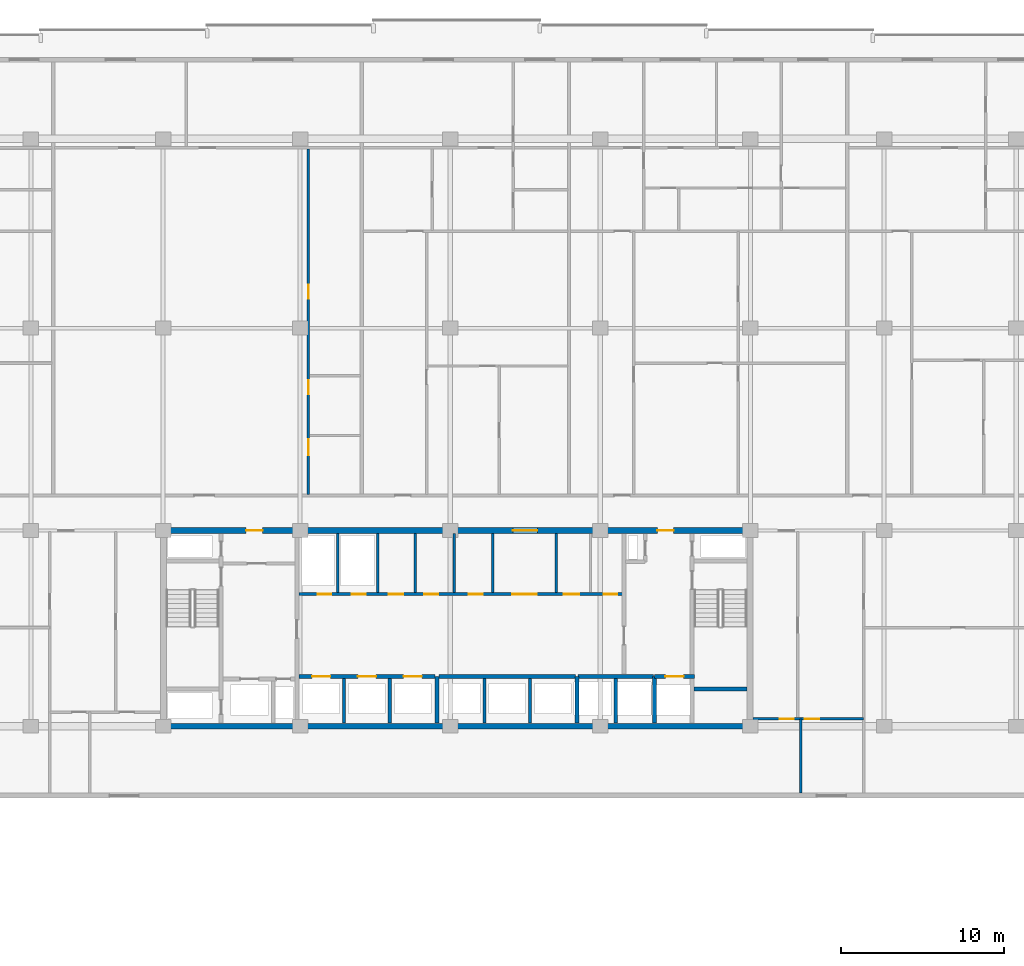
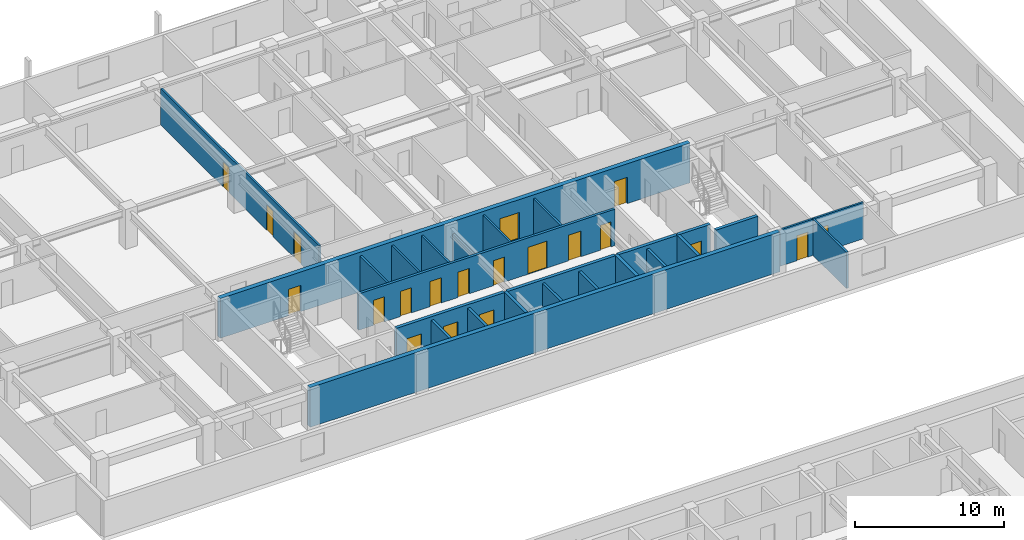
# One storey, part 12 of 22: 25 walls, 20 doors, 20 openings.
"""IFC4 building model written with IfcOpenShell, lengths in metres."""

from ifc_helpers import new_model, si_unit, direction, frame, frame_2d, origin, place, context, subcontext, project, spatial, rectangle, extrude, material, layer, layer_set, type_object, element, fill, save


model = new_model("IFC4")

# Units and contexts
model_context = context("Model", 3, precision=1e-05, world=origin(), true_north=direction((0.0, 1.0)))
body_context = subcontext(model_context, "Body", "Model", "MODEL_VIEW")
ifc_project = project(units=[si_unit("LENGTHUNIT", "METRE"), si_unit("AREAUNIT", "SQUARE_METRE"), si_unit("VOLUMEUNIT", "CUBIC_METRE"), si_unit("PLANEANGLEUNIT", "RADIAN"), si_unit("MASSUNIT", "GRAM", prefix="KILO")], contexts=[model_context])

# Site, building, storey
site_placement = place(None, origin())
site = spatial("IfcSite", under=ifc_project, at=site_placement, CompositionType="ELEMENT")
building_placement = place(site_placement, origin())
building = spatial("IfcBuilding", under=site, at=building_placement, Name="Korimba Cascade Residences", CompositionType="ELEMENT")
storey_placement = place(building_placement, frame((0.0, 0.0, 80.800048828125)))
storey = spatial("IfcBuildingStorey", under=building, at=storey_placement, Name="L22", CompositionType="ELEMENT", Elevation=80.800048828125)

# Wall
ifc_material_1 = material(Name="Concrete C65/80", Category="concrete")
ifc_layer_1 = layer(ifc_material_1, 0.35009765625)
ifc_layer_set_1 = layer_set([ifc_layer_1], Name="Concrete C65/80")
wall_type_1 = type_object("IfcWallType", Name="WAL-CORE-350", PredefinedType="SHEAR", material=ifc_layer_set_1)
wall_1_placement = place(storey_placement, frame((75.949951171875, 55.199951171875, 0.0), z_axis=(0.0, 0.0, 1.0), x_axis=(1.0, 0.0, 0.0)))
element("IfcWall", 1, at=wall_1_placement, inside=storey, type_object=wall_type_1, Name="L22 Core Shear Wall CW-L22-T1-S", PredefinedType="SHEAR", context=body_context, shape_type="SweptSolid", body=[
    extrude(rectangle(XDim=36.300048828125, YDim=0.35009765625, at=frame_2d((18.14990234375, 0.0))), origin(), (0.0, 0.0, 1.0), 3.25),
])

# Wall, openings, doors
wall_2_placement = place(storey_placement, frame((75.949951171875, 67.199951171875, 0.0), z_axis=(0.0, 0.0, 1.0), x_axis=(1.0, 0.0, 0.0)))
wall_2 = element("IfcWall", 2, at=wall_2_placement, inside=storey, type_object=wall_type_1, Name="L22 Core Shear Wall CW-L22-T1-N", PredefinedType="SHEAR", context=body_context, shape_type="SweptSolid", body=[
    extrude(rectangle(XDim=36.300048828125, YDim=0.35009765625, at=frame_2d((18.14990234375, 0.0))), origin(), (0.0, 0.0, 1.0), 3.25),
])
opening_1_placement = place(wall_2_placement, frame((5.25, 0.0, 0.0)))
opening_1 = element("IfcOpeningElement", 3, at=opening_1_placement, cuts=wall_2, Name="Opening D-FD5", PredefinedType="OPENING", context=body_context, shape_type="SweptSolid", body=[
    extrude(rectangle(XDim=1.0, YDim=2.14990234375, at=frame_2d((0.5, 1.074951171875))), frame((0.0, 0.18505859375, 0.0), z_axis=(0.0, -1.0, 0.0), x_axis=(1.0, 0.0, 0.0)), (0.0, 0.0, 1.0), 0.3701171875),
])
opening_2_placement = place(wall_2_placement, frame((21.60009765625, 0.0, 0.0)))
opening_2 = element("IfcOpeningElement", 4, at=opening_2_placement, cuts=wall_2, Name="Opening D-FD8", PredefinedType="OPENING", context=body_context, shape_type="SweptSolid", body=[
    extrude(rectangle(XDim=1.5, YDim=2.199951171875, at=frame_2d((0.75, 1.10009765625))), frame((0.0, 0.18505859375, 0.0), z_axis=(0.0, -1.0, 0.0), x_axis=(1.0, 0.0, 0.0)), (0.0, 0.0, 1.0), 0.3701171875),
])
opening_3_placement = place(wall_2_placement, frame((30.449951171875, 0.0, 0.0)))
opening_3 = element("IfcOpeningElement", 5, at=opening_3_placement, cuts=wall_2, Name="Opening D-FD5", PredefinedType="OPENING", context=body_context, shape_type="SweptSolid", body=[
    extrude(rectangle(XDim=1.0, YDim=2.14990234375, at=frame_2d((0.5, 1.074951171875))), frame((0.0, 0.18505859375, 0.0), z_axis=(0.0, -1.0, 0.0), x_axis=(1.0, 0.0, 0.0)), (0.0, 0.0, 1.0), 0.3701171875),
])
ifc_material_2 = material(Name="Fire-Rated Acoustic Timber Vestibule Door", Category="wood")
door_type_1 = type_object("IfcDoorType", Name="DR-FD90-1000", OperationType="NOTDEFINED", PredefinedType="DOOR", material=ifc_material_2)
door_1_placement = place(opening_1_placement, origin())
door_1 = element("IfcDoor", 6, at=door_1_placement, inside=storey, type_object=door_type_1, Name="L22 T1 West Core Vestibule Fire Door", OperationType="SINGLE_SWING_RIGHT", OverallHeight=2.14990234375, OverallWidth=1.0, PredefinedType="DOOR", context=body_context, shape_type="SweptSolid", body=[
    extrude(rectangle(XDim=1.0, YDim=2.14990234375, at=frame_2d((0.5, 1.074951171875))), frame((0.0, 0.02490234375, 0.0), z_axis=(0.0, -1.0, 0.0), x_axis=(1.0, 0.0, 0.0)), (0.0, 0.0, 1.0), 0.050048828125),
])
fill(opening_1, door_1)
door_2_placement = place(opening_3_placement, origin())
door_2 = element("IfcDoor", 7, at=door_2_placement, inside=storey, type_object=door_type_1, Name="L22 T1 East Firefighting Vestibule Fire Door", OperationType="SINGLE_SWING_LEFT", OverallHeight=2.14990234375, OverallWidth=1.0, PredefinedType="DOOR", context=body_context, shape_type="SweptSolid", body=[
    extrude(rectangle(XDim=1.0, YDim=2.14990234375, at=frame_2d((0.5, 1.074951171875))), frame((0.0, 0.02490234375, 0.0), z_axis=(0.0, -1.0, 0.0), x_axis=(1.0, 0.0, 0.0)), (0.0, 0.0, 1.0), 0.050048828125),
])
fill(opening_3, door_2)
ifc_material_3 = material(Name="Fire-Rated Glazed Lift Lobby Double Door", Category="glass")
door_type_2 = type_object("IfcDoorType", Name="DR-FD90-1500", OperationType="NOTDEFINED", PredefinedType="DOOR", material=ifc_material_3)
door_3_placement = place(opening_2_placement, origin())
door_3 = element("IfcDoor", 8, at=door_3_placement, inside=storey, type_object=door_type_2, Name="L22 T1 Lift Lobby Fire Door", OperationType="DOUBLE_DOOR_SINGLE_SWING", OverallHeight=2.199951171875, OverallWidth=1.5, PredefinedType="DOOR", context=body_context, shape_type="SweptSolid", body=[
    extrude(rectangle(XDim=1.5, YDim=2.199951171875, at=frame_2d((0.75, 1.10009765625))), frame((0.0, 0.02490234375, 0.0), z_axis=(0.0, -1.0, 0.0), x_axis=(1.0, 0.0, 0.0)), (0.0, 0.0, 1.0), 0.050048828125),
])
fill(opening_2, door_3)

# Walls
ifc_material_4 = material(Name="Insulated Acoustic Stud Partition", Category="gypsum")
ifc_layer_2 = layer(ifc_material_4, 0.14990234375)
ifc_layer_set_2 = layer_set([ifc_layer_2], Name="Insulated Acoustic Stud Partition")
wall_type_2 = type_object("IfcWallType", Name="WAL-PART-150", PredefinedType="PARTITIONING", material=ifc_layer_set_2)
for number, where, z_axis, x_axis, name in (
    (9, (86.800048828125, 63.39990234375, 0.0), (0.0, 0.0, 1.0), (0.0, 1.0, 0.0), "L22 Partition Wall CW-L22-T1-ERDIV"),
    (10, (89.25, 63.39990234375, 0.0), (0.0, 0.0, 1.0), (0.0, 1.0, 0.0), "L22 Partition Wall CW-L22-T1-PRDIV"),
    (11, (91.550048828125, 63.39990234375, 0.0), (0.0, 0.0, 1.0), (0.0, 1.0, 0.0), "L22 Partition Wall CW-L22-T1-CA1W1"),
):
    element("IfcWall", number, at=place(storey_placement, frame(where, z_axis=z_axis, x_axis=x_axis)), inside=storey, type_object=wall_type_2, Name=name, PredefinedType="PARTITIONING", context=body_context, shape_type="SweptSolid", body=[
        extrude(rectangle(XDim=3.60009765625, YDim=0.14990234375, at=frame_2d((1.800048828125, 0.0))), origin(), (0.0, 0.0, 1.0), 2.969970703125),
    ])
wall_3_placement = place(storey_placement, frame((93.949951171875, 63.39990234375, 0.0), z_axis=(0.0, 0.0, 1.0), x_axis=(0.0, 1.0, 0.0)))
element("IfcWall", 12, at=wall_3_placement, inside=storey, type_object=wall_type_2, Name="L22 Partition Wall CW-L22-T1-CA1W2", PredefinedType="PARTITIONING", context=body_context, shape_type="SweptSolid", body=[
    extrude(rectangle(XDim=3.60009765625, YDim=0.14990234375, at=frame_2d((1.800048828125, 0.0))), origin(), (0.0, 0.0, 1.0), 2.277099609375),
])
for number, where, z_axis, x_axis, name in (
    (13, (96.300048828125, 63.39990234375, 0.0), (0.0, 0.0, 1.0), (0.0, 1.0, 0.0), "L22 Partition Wall CW-L22-T1-THW"),
    (14, (100.199951171875, 63.39990234375, 0.0), (0.0, 0.0, 1.0), (0.0, 1.0, 0.0), "L22 Partition Wall CW-L22-T1-THE"),
):
    element("IfcWall", number, at=place(storey_placement, frame(where, z_axis=z_axis, x_axis=x_axis)), inside=storey, type_object=wall_type_2, Name=name, PredefinedType="PARTITIONING", context=body_context, shape_type="SweptSolid", body=[
        extrude(rectangle(XDim=3.60009765625, YDim=0.14990234375, at=frame_2d((1.800048828125, 0.0))), origin(), (0.0, 0.0, 1.0), 2.969970703125),
    ])
wall_4_placement = place(storey_placement, frame((115.199951171875, 51.10009765625, 0.0), z_axis=(0.0, 0.0, 1.0), x_axis=(0.0, 1.0, 0.0)))
element("IfcWall", 15, at=wall_4_placement, inside=storey, type_object=wall_type_2, Name="L22 Partition Wall WAL-L22-T1-FE-VS", PredefinedType="PARTITIONING", context=body_context, shape_type="SweptSolid", body=[
    extrude(rectangle(XDim=4.5498046875, YDim=0.14990234375, at=frame_2d((2.27490234375, 0.0))), origin(), (0.0, 0.0, 1.0), 2.969970703125),
])

# Wall, openings, doors
wall_5_placement = place(storey_placement, frame((112.27001953125, 55.64990234375, 0.0), z_axis=(0.0, 0.0, 1.0), x_axis=(1.0, 0.0, 0.0)))
wall_5 = element("IfcWall", 16, at=wall_5_placement, inside=storey, type_object=wall_type_2, Name="L22 Partition Wall WAL-L22-T1-FE-H", PredefinedType="PARTITIONING", context=body_context, shape_type="SweptSolid", body=[
    extrude(rectangle(XDim=6.760009765625, YDim=0.14990234375, at=frame_2d((3.3798828125, 0.0))), origin(), (0.0, 0.0, 1.0), 2.969970703125),
])
opening_4_placement = place(wall_5_placement, frame((1.6396484375, 0.0, 0.0)))
opening_4 = element("IfcOpeningElement", 17, at=opening_4_placement, cuts=wall_5, Name="Opening D-BT1", PredefinedType="OPENING", context=body_context, shape_type="SweptSolid", body=[
    extrude(rectangle(XDim=0.840087890625, YDim=2.0400390625, at=frame_2d((0.419921875, 1.02001953125))), frame((0.0, 0.0849609375, 0.0), z_axis=(0.0, -1.0, 0.0), x_axis=(1.0, 0.0, 0.0)), (0.0, 0.0, 1.0), 0.169921875),
])
opening_5_placement = place(wall_5_placement, frame((3.160400390625, 0.0, 0.0)))
opening_5 = element("IfcOpeningElement", 18, at=opening_5_placement, cuts=wall_5, Name="Opening D-IN2", PredefinedType="OPENING", context=body_context, shape_type="SweptSolid", body=[
    extrude(rectangle(XDim=0.8798828125, YDim=2.06005859375, at=frame_2d((0.43994140625, 1.030029296875))), frame((0.0, 0.0849609375, 0.0), z_axis=(0.0, -1.0, 0.0), x_axis=(1.0, 0.0, 0.0)), (0.0, 0.0, 1.0), 0.169921875),
])
ifc_material_5 = material(Name="Moisture-Resistant Bathroom Timber Door", Category="wood")
door_type_3 = type_object("IfcDoorType", Name="DR-INT-850", OperationType="NOTDEFINED", PredefinedType="DOOR", material=ifc_material_5)
door_4_placement = place(opening_4_placement, origin())
door_4 = element("IfcDoor", 19, at=door_4_placement, inside=storey, type_object=door_type_3, Name="L22-T1-FE Bathroom Door", OperationType="SINGLE_SWING_RIGHT", OverallHeight=2.0400390625, OverallWidth=0.840087890625, PredefinedType="DOOR", context=body_context, shape_type="SweptSolid", body=[
    extrude(rectangle(XDim=0.840087890625, YDim=2.0400390625, at=frame_2d((0.419921875, 1.02001953125))), frame((0.0, 0.02490234375, 0.0), z_axis=(0.0, -1.0, 0.0), x_axis=(1.0, 0.0, 0.0)), (0.0, 0.0, 1.0), 0.050048828125),
])
fill(opening_4, door_4)
ifc_material_6 = material(Name="Acoustic Timber Bedroom Door", Category="wood")
door_type_4 = type_object("IfcDoorType", Name="DR-INT-880", OperationType="NOTDEFINED", PredefinedType="DOOR", material=ifc_material_6)
door_5_placement = place(opening_5_placement, origin())
door_5 = element("IfcDoor", 20, at=door_5_placement, inside=storey, type_object=door_type_4, Name="L22-T1-FE Bedroom Door", OperationType="SINGLE_SWING_LEFT", OverallHeight=2.06005859375, OverallWidth=0.8798828125, PredefinedType="DOOR", context=body_context, shape_type="SweptSolid", body=[
    extrude(rectangle(XDim=0.8798828125, YDim=2.06005859375, at=frame_2d((0.43994140625, 1.030029296875))), frame((0.0, 0.02490234375, 0.0), z_axis=(0.0, -1.0, 0.0), x_axis=(1.0, 0.0, 0.0)), (0.0, 0.0, 1.0), 0.050048828125),
])
fill(opening_5, door_5)

wall_6_placement = place(storey_placement, frame((85.0146484375, 69.409912109375, 0.0), z_axis=(0.0, 0.0, 1.0), x_axis=(0.0, 1.0, 0.0)))
wall_6 = element("IfcWall", 21, at=wall_6_placement, inside=storey, type_object=wall_type_2, Name="L22 Partition Wall WAL-L22-T1-U02-WCV", PredefinedType="PARTITIONING", context=body_context, shape_type="SweptSolid", body=[
    extrude(rectangle(XDim=21.18017578125, YDim=0.14990234375, at=frame_2d((10.590087890625, 0.0))), origin(), (0.0, 0.0, 1.0), 2.969970703125),
])
opening_6_placement = place(wall_6_placement, frame((2.406005859375, 0.0, 0.0)))
opening_6 = element("IfcOpeningElement", 22, at=opening_6_placement, cuts=wall_6, Name="Opening D-AC1", PredefinedType="OPENING", context=body_context, shape_type="SweptSolid", body=[
    extrude(rectangle(XDim=0.9599609375, YDim=2.10009765625, at=frame_2d((0.47998046875, 1.050048828125))), frame((0.0, 0.0849609375, 0.0), z_axis=(0.0, -1.0, 0.0), x_axis=(1.0, 0.0, 0.0)), (0.0, 0.0, 1.0), 0.169921875),
])
opening_7_placement = place(wall_6_placement, frame((6.132568359375, 0.0, 0.0)))
opening_7 = element("IfcOpeningElement", 23, at=opening_7_placement, cuts=wall_6, Name="Opening D-IN2", PredefinedType="OPENING", context=body_context, shape_type="SweptSolid", body=[
    extrude(rectangle(XDim=0.8798828125, YDim=2.06005859375, at=frame_2d((0.43994140625, 1.030029296875))), frame((0.0, 0.0849609375, 0.0), z_axis=(0.0, -1.0, 0.0), x_axis=(1.0, 0.0, 0.0)), (0.0, 0.0, 1.0), 0.169921875),
])
opening_8_placement = place(wall_6_placement, frame((12.003173828125, 0.0, 0.0)))
opening_8 = element("IfcOpeningElement", 24, at=opening_8_placement, cuts=wall_6, Name="Opening D-BT1", PredefinedType="OPENING", context=body_context, shape_type="SweptSolid", body=[
    extrude(rectangle(XDim=0.840087890625, YDim=2.0400390625, at=frame_2d((0.419921875, 1.02001953125))), frame((0.0, 0.0849609375, 0.0), z_axis=(0.0, -1.0, 0.0), x_axis=(1.0, 0.0, 0.0)), (0.0, 0.0, 1.0), 0.169921875),
])
ifc_material_7 = material(Name="Accessible Acoustic Timber WC Door", Category="wood")
door_type_5 = type_object("IfcDoorType", Name="DR-ACC-950", OperationType="NOTDEFINED", PredefinedType="DOOR", material=ifc_material_7)
door_6_placement = place(opening_6_placement, origin())
door_6 = element("IfcDoor", 25, at=door_6_placement, inside=storey, type_object=door_type_5, Name="L22-T1-U02 Accessible WC Door", OperationType="SINGLE_SWING_RIGHT", OverallHeight=2.10009765625, OverallWidth=0.9599609375, PredefinedType="DOOR", context=body_context, shape_type="SweptSolid", body=[
    extrude(rectangle(XDim=0.9599609375, YDim=2.10009765625, at=frame_2d((0.47998046875, 1.050048828125))), frame((0.0, 0.02490234375, 0.0), z_axis=(0.0, -1.0, 0.0), x_axis=(1.0, 0.0, 0.0)), (0.0, 0.0, 1.0), 0.050048828125),
])
fill(opening_6, door_6)
door_7_placement = place(opening_8_placement, origin())
door_7 = element("IfcDoor", 26, at=door_7_placement, inside=storey, type_object=door_type_3, Name="L22-T1-U02 Suite Store Door", OperationType="SINGLE_SWING_RIGHT", OverallHeight=2.0400390625, OverallWidth=0.840087890625, PredefinedType="DOOR", context=body_context, shape_type="SweptSolid", body=[
    extrude(rectangle(XDim=0.840087890625, YDim=2.0400390625, at=frame_2d((0.419921875, 1.02001953125))), frame((0.0, 0.02490234375, 0.0), z_axis=(0.0, -1.0, 0.0), x_axis=(1.0, 0.0, 0.0)), (0.0, 0.0, 1.0), 0.050048828125),
])
fill(opening_8, door_7)
door_8_placement = place(opening_7_placement, origin())
door_8 = element("IfcDoor", 27, at=door_8_placement, inside=storey, type_object=door_type_4, Name="L22-T1-U02 Restroom WC Door", OperationType="SINGLE_SWING_LEFT", OverallHeight=2.06005859375, OverallWidth=0.8798828125, PredefinedType="DOOR", context=body_context, shape_type="SweptSolid", body=[
    extrude(rectangle(XDim=0.8798828125, YDim=2.06005859375, at=frame_2d((0.43994140625, 1.030029296875))), frame((0.0, 0.02490234375, 0.0), z_axis=(0.0, -1.0, 0.0), x_axis=(1.0, 0.0, 0.0)), (0.0, 0.0, 1.0), 0.050048828125),
])
fill(opening_7, door_8)

# Walls
ifc_material_8 = material(Name="Concrete C40/50", Category="concrete")
ifc_layer_3 = layer(ifc_material_8, 0.199951171875)
ifc_layer_set_3 = layer_set([ifc_layer_3], Name="Concrete C40/50")
wall_type_3 = type_object("IfcWallType", Name="WAL-PART-200", PredefinedType="PARTITIONING", material=ifc_layer_set_3)
for number, where, z_axis, x_axis, name in (
    (28, (87.199951171875, 55.39990234375, 0.0), (0.0, 0.0, 1.0), (0.0, 1.0, 0.0), "L22 Partition Wall CW-L22-T1-B1D1"),
    (29, (90.0, 55.39990234375, 0.0), (0.0, 0.0, 1.0), (0.0, 1.0, 0.0), "L22 Partition Wall CW-L22-T1-B1D2"),
    (30, (95.800048828125, 55.39990234375, 0.0), (0.0, 0.0, 1.0), (0.0, 1.0, 0.0), "L22 Partition Wall CW-L22-T1-B2D1"),
    (31, (98.60009765625, 55.39990234375, 0.0), (0.0, 0.0, 1.0), (0.0, 1.0, 0.0), "L22 Partition Wall CW-L22-T1-B2D2"),
    (32, (103.85009765625, 55.39990234375, 0.0), (0.0, 0.0, 1.0), (0.0, 1.0, 0.0), "L22 Partition Wall CW-L22-T1-B3D1"),
):
    element("IfcWall", number, at=place(storey_placement, frame(where, z_axis=z_axis, x_axis=x_axis)), inside=storey, type_object=wall_type_3, Name=name, PredefinedType="PARTITIONING", context=body_context, shape_type="SweptSolid", body=[
        extrude(rectangle(XDim=2.72021484375, YDim=0.199951171875, at=frame_2d((1.360107421875, 0.0))), origin(), (0.0, 0.0, 1.0), 2.969970703125),
    ])

# Wall, openings, doors
wall_7_placement = place(storey_placement, frame((84.419921875, 63.300048828125, 0.0), z_axis=(0.0, 0.0, 1.0), x_axis=(1.0, 0.0, 0.0)))
wall_7 = element("IfcWall", 33, at=wall_7_placement, inside=storey, type_object=wall_type_3, Name="L22 Partition Wall CW-L22-T1-SRVROW", PredefinedType="PARTITIONING", context=body_context, shape_type="SweptSolid", body=[
    extrude(rectangle(XDim=19.830078125, YDim=0.199951171875, at=frame_2d((9.9150390625, 0.0))), origin(), (0.0, 0.0, 1.0), 2.969970703125),
])
opening_9_placement = place(wall_7_placement, frame((1.14990234375, 0.0, 0.0)))
opening_9 = element("IfcOpeningElement", 34, at=opening_9_placement, cuts=wall_7, Name="Opening D-RS1", PredefinedType="OPENING", context=body_context, shape_type="SweptSolid", body=[
    extrude(rectangle(XDim=0.85009765625, YDim=2.050048828125, at=frame_2d((0.425048828125, 1.02490234375))), frame((0.0, 0.10986328125, 0.0), z_axis=(0.0, -1.0, 0.0), x_axis=(1.0, 0.0, 0.0)), (0.0, 0.0, 1.0), 0.219970703125),
])
opening_10_placement = place(wall_7_placement, frame((3.25, 0.0, 0.0)))
opening_10 = element("IfcOpeningElement", 35, at=opening_10_placement, cuts=wall_7, Name="Opening D-RS1", PredefinedType="OPENING", context=body_context, shape_type="SweptSolid", body=[
    extrude(rectangle(XDim=0.85009765625, YDim=2.050048828125, at=frame_2d((0.425048828125, 1.02490234375))), frame((0.0, 0.10986328125, 0.0), z_axis=(0.0, -1.0, 0.0), x_axis=(1.0, 0.0, 0.0)), (0.0, 0.0, 1.0), 0.219970703125),
])
opening_11_placement = place(wall_7_placement, frame((13.080078125, 0.0, 0.0)))
opening_11 = element("IfcOpeningElement", 36, at=opening_11_placement, cuts=wall_7, Name="Opening D-FD8", PredefinedType="OPENING", context=body_context, shape_type="SweptSolid", body=[
    extrude(rectangle(XDim=1.5, YDim=2.199951171875, at=frame_2d((0.75, 1.10009765625))), frame((0.0, 0.10986328125, 0.0), z_axis=(0.0, -1.0, 0.0), x_axis=(1.0, 0.0, 0.0)), (0.0, 0.0, 1.0), 0.219970703125),
])
opening_12_placement = place(wall_7_placement, frame((5.530029296875, 0.0, 0.0)))
opening_12 = element("IfcOpeningElement", 37, at=opening_12_placement, cuts=wall_7, Name="Opening D-IN2", PredefinedType="OPENING", context=body_context, shape_type="SweptSolid", body=[
    extrude(rectangle(XDim=0.8798828125, YDim=2.06005859375, at=frame_2d((0.43994140625, 1.030029296875))), frame((0.0, 0.10986328125, 0.0), z_axis=(0.0, -1.0, 0.0), x_axis=(1.0, 0.0, 0.0)), (0.0, 0.0, 1.0), 0.219970703125),
])
opening_13_placement = place(wall_7_placement, frame((7.679931640625, 0.0, 0.0)))
opening_13 = element("IfcOpeningElement", 38, at=opening_13_placement, cuts=wall_7, Name="Opening D-IN2", PredefinedType="OPENING", context=body_context, shape_type="SweptSolid", body=[
    extrude(rectangle(XDim=0.8798828125, YDim=2.06005859375, at=frame_2d((0.43994140625, 1.030029296875))), frame((0.0, 0.10986328125, 0.0), z_axis=(0.0, -1.0, 0.0), x_axis=(1.0, 0.0, 0.0)), (0.0, 0.0, 1.0), 0.219970703125),
])
opening_14_placement = place(wall_7_placement, frame((10.429931640625, 0.0, 0.0)))
opening_14 = element("IfcOpeningElement", 39, at=opening_14_placement, cuts=wall_7, Name="Opening D-RS1", PredefinedType="OPENING", context=body_context, shape_type="SweptSolid", body=[
    extrude(rectangle(XDim=0.85009765625, YDim=2.050048828125, at=frame_2d((0.425048828125, 1.02490234375))), frame((0.0, 0.10986328125, 0.0), z_axis=(0.0, -1.0, 0.0), x_axis=(1.0, 0.0, 0.0)), (0.0, 0.0, 1.0), 0.219970703125),
])
opening_15_placement = place(wall_7_placement, frame((16.22998046875, 0.0, 0.0)))
opening_15 = element("IfcOpeningElement", 40, at=opening_15_placement, cuts=wall_7, Name="Opening D-AC1", PredefinedType="OPENING", context=body_context, shape_type="SweptSolid", body=[
    extrude(rectangle(XDim=0.9599609375, YDim=2.10009765625, at=frame_2d((0.47998046875, 1.050048828125))), frame((0.0, 0.10986328125, 0.0), z_axis=(0.0, -1.0, 0.0), x_axis=(1.0, 0.0, 0.0)), (0.0, 0.0, 1.0), 0.219970703125),
])
opening_16_placement = place(wall_7_placement, frame((18.679931640625, 0.0, 0.0)))
opening_16 = element("IfcOpeningElement", 41, at=opening_16_placement, cuts=wall_7, Name="Opening D-BT1", PredefinedType="OPENING", context=body_context, shape_type="SweptSolid", body=[
    extrude(rectangle(XDim=0.840087890625, YDim=2.0400390625, at=frame_2d((0.419921875, 1.02001953125))), frame((0.0, 0.10986328125, 0.0), z_axis=(0.0, -1.0, 0.0), x_axis=(1.0, 0.0, 0.0)), (0.0, 0.0, 1.0), 0.219970703125),
])
door_9_placement = place(opening_15_placement, origin())
door_9 = element("IfcDoor", 42, at=door_9_placement, inside=storey, type_object=door_type_5, Name="L22 Accessible Staff WC Door", OperationType="SINGLE_SWING_LEFT", OverallHeight=2.10009765625, OverallWidth=0.9599609375, PredefinedType="DOOR", context=body_context, shape_type="SweptSolid", body=[
    extrude(rectangle(XDim=0.9599609375, YDim=2.10009765625, at=frame_2d((0.47998046875, 1.050048828125))), frame((0.0, 0.02490234375, 0.0), z_axis=(0.0, -1.0, 0.0), x_axis=(1.0, 0.0, 0.0)), (0.0, 0.0, 1.0), 0.050048828125),
])
fill(opening_15, door_9)
ifc_material_9 = material(Name="Fire-Rated Steel Riser Access Door", Category="steel")
door_type_6 = type_object("IfcDoorType", Name="DR-FD60-850", OperationType="NOTDEFINED", PredefinedType="DOOR", material=ifc_material_9)
door_10_placement = place(opening_9_placement, origin())
door_10 = element("IfcDoor", 43, at=door_10_placement, inside=storey, type_object=door_type_6, Name="L22 Electrical Riser Door", OperationType="SINGLE_SWING_RIGHT", OverallHeight=2.050048828125, OverallWidth=0.85009765625, PredefinedType="DOOR", context=body_context, shape_type="SweptSolid", body=[
    extrude(rectangle(XDim=0.85009765625, YDim=2.050048828125, at=frame_2d((0.425048828125, 1.02490234375))), frame((0.0, 0.02490234375, 0.0), z_axis=(0.0, -1.0, 0.0), x_axis=(1.0, 0.0, 0.0)), (0.0, 0.0, 1.0), 0.050048828125),
])
fill(opening_9, door_10)
door_11_placement = place(opening_10_placement, origin())
door_11 = element("IfcDoor", 44, at=door_11_placement, inside=storey, type_object=door_type_6, Name="L22 Plumbing Riser Door", OperationType="SINGLE_SWING_LEFT", OverallHeight=2.050048828125, OverallWidth=0.85009765625, PredefinedType="DOOR", context=body_context, shape_type="SweptSolid", body=[
    extrude(rectangle(XDim=0.85009765625, YDim=2.050048828125, at=frame_2d((0.425048828125, 1.02490234375))), frame((0.0, 0.02490234375, 0.0), z_axis=(0.0, -1.0, 0.0), x_axis=(1.0, 0.0, 0.0)), (0.0, 0.0, 1.0), 0.050048828125),
])
fill(opening_10, door_11)
door_12_placement = place(opening_14_placement, origin())
door_12 = element("IfcDoor", 45, at=door_12_placement, inside=storey, type_object=door_type_6, Name="L22 IT Room Door", OperationType="SINGLE_SWING_RIGHT", OverallHeight=2.050048828125, OverallWidth=0.85009765625, PredefinedType="DOOR", context=body_context, shape_type="SweptSolid", body=[
    extrude(rectangle(XDim=0.85009765625, YDim=2.050048828125, at=frame_2d((0.425048828125, 1.02490234375))), frame((0.0, 0.02490234375, 0.0), z_axis=(0.0, -1.0, 0.0), x_axis=(1.0, 0.0, 0.0)), (0.0, 0.0, 1.0), 0.050048828125),
])
fill(opening_14, door_12)
door_13_placement = place(opening_11_placement, origin())
door_13 = element("IfcDoor", 46, at=door_13_placement, inside=storey, type_object=door_type_2, Name="L22 Lift Lobby Foyer Archway Door", OperationType="DOUBLE_DOOR_SINGLE_SWING", OverallHeight=2.199951171875, OverallWidth=1.5, PredefinedType="DOOR", context=body_context, shape_type="SweptSolid", body=[
    extrude(rectangle(XDim=1.5, YDim=2.199951171875, at=frame_2d((0.75, 1.10009765625))), frame((0.0, 0.02490234375, 0.0), z_axis=(0.0, -1.0, 0.0), x_axis=(1.0, 0.0, 0.0)), (0.0, 0.0, 1.0), 0.050048828125),
])
fill(opening_11, door_13)
door_14_placement = place(opening_16_placement, origin())
door_14 = element("IfcDoor", 47, at=door_14_placement, inside=storey, type_object=door_type_3, Name="L22 Vending Room Door", OperationType="SINGLE_SWING_RIGHT", OverallHeight=2.0400390625, OverallWidth=0.840087890625, PredefinedType="DOOR", context=body_context, shape_type="SweptSolid", body=[
    extrude(rectangle(XDim=0.840087890625, YDim=2.0400390625, at=frame_2d((0.419921875, 1.02001953125))), frame((0.0, 0.02490234375, 0.0), z_axis=(0.0, -1.0, 0.0), x_axis=(1.0, 0.0, 0.0)), (0.0, 0.0, 1.0), 0.050048828125),
])
fill(opening_16, door_14)
door_15_placement = place(opening_12_placement, origin())
door_15 = element("IfcDoor", 48, at=door_15_placement, inside=storey, type_object=door_type_4, Name="L22 Cleaners Door", OperationType="SINGLE_SWING_RIGHT", OverallHeight=2.06005859375, OverallWidth=0.8798828125, PredefinedType="DOOR", context=body_context, shape_type="SweptSolid", body=[
    extrude(rectangle(XDim=0.8798828125, YDim=2.06005859375, at=frame_2d((0.43994140625, 1.030029296875))), frame((0.0, 0.02490234375, 0.0), z_axis=(0.0, -1.0, 0.0), x_axis=(1.0, 0.0, 0.0)), (0.0, 0.0, 1.0), 0.050048828125),
])
fill(opening_12, door_15)
door_16_placement = place(opening_13_placement, origin())
door_16 = element("IfcDoor", 49, at=door_16_placement, inside=storey, type_object=door_type_4, Name="L22 Pantry Door", OperationType="SINGLE_SWING_LEFT", OverallHeight=2.06005859375, OverallWidth=0.8798828125, PredefinedType="DOOR", context=body_context, shape_type="SweptSolid", body=[
    extrude(rectangle(XDim=0.8798828125, YDim=2.06005859375, at=frame_2d((0.43994140625, 1.030029296875))), frame((0.0, 0.02490234375, 0.0), z_axis=(0.0, -1.0, 0.0), x_axis=(1.0, 0.0, 0.0)), (0.0, 0.0, 1.0), 0.050048828125),
])
fill(opening_13, door_16)

ifc_material_10 = material(Name="Concrete C50/60", Category="concrete")
ifc_layer_4 = layer(ifc_material_10, 0.25)
ifc_layer_set_4 = layer_set([ifc_layer_4], Name="Concrete C50/60")
wall_type_4 = type_object("IfcWallType", Name="WAL-SHAFT-250", PredefinedType="SHEAR", material=ifc_layer_set_4)
wall_8_placement = place(storey_placement, frame((84.419921875, 58.25, 0.0), z_axis=(0.0, 0.0, 1.0), x_axis=(1.0, 0.0, 0.0)))
wall_8 = element("IfcWall", 50, at=wall_8_placement, inside=storey, type_object=wall_type_4, Name="L22 Core Shear Wall CW-L22-T1-B1N", PredefinedType="SHEAR", context=body_context, shape_type="SweptSolid", body=[
    extrude(rectangle(XDim=8.360107421875, YDim=0.25, at=frame_2d((4.18017578125, 0.0))), origin(), (0.0, 0.0, 1.0), 3.25),
])
opening_17_placement = place(wall_8_placement, frame((0.820068359375, 0.0, 0.0)))
opening_17 = element("IfcOpeningElement", 51, at=opening_17_placement, cuts=wall_8, Name="Opening LD-01", PredefinedType="OPENING", context=body_context, shape_type="SweptSolid", body=[
    extrude(rectangle(XDim=1.1201171875, YDim=2.1201171875, at=frame_2d((0.56005859375, 1.06005859375))), frame((0.0, 0.135009765625, 0.0), z_axis=(0.0, -1.0, 0.0), x_axis=(1.0, 0.0, 0.0)), (0.0, 0.0, 1.0), 0.27001953125),
])
opening_18_placement = place(wall_8_placement, frame((3.6201171875, 0.0, 0.0)))
opening_18 = element("IfcOpeningElement", 52, at=opening_18_placement, cuts=wall_8, Name="Opening LD-01", PredefinedType="OPENING", context=body_context, shape_type="SweptSolid", body=[
    extrude(rectangle(XDim=1.1201171875, YDim=2.1201171875, at=frame_2d((0.56005859375, 1.06005859375))), frame((0.0, 0.135009765625, 0.0), z_axis=(0.0, -1.0, 0.0), x_axis=(1.0, 0.0, 0.0)), (0.0, 0.0, 1.0), 0.27001953125),
])
opening_19_placement = place(wall_8_placement, frame((6.419921875, 0.0, 0.0)))
opening_19 = element("IfcOpeningElement", 53, at=opening_19_placement, cuts=wall_8, Name="Opening LD-01", PredefinedType="OPENING", context=body_context, shape_type="SweptSolid", body=[
    extrude(rectangle(XDim=1.1201171875, YDim=2.1201171875, at=frame_2d((0.56005859375, 1.06005859375))), frame((0.0, 0.135009765625, 0.0), z_axis=(0.0, -1.0, 0.0), x_axis=(1.0, 0.0, 0.0)), (0.0, 0.0, 1.0), 0.27001953125),
])
ifc_material_11 = material(Name="Stainless Steel Lift Landing Sliding Door", Category="steel")
door_type_7 = type_object("IfcDoorType", Name="DR-LIFT-1100", OperationType="NOTDEFINED", PredefinedType="DOOR", material=ifc_material_11)
door_17_placement = place(opening_17_placement, origin())
door_17 = element("IfcDoor", 54, at=door_17_placement, inside=storey, type_object=door_type_7, Name="L22 Lift Landing Door PL-W1", OperationType="SLIDING_TO_LEFT", OverallHeight=2.1201171875, OverallWidth=1.1201171875, PredefinedType="DOOR", context=body_context, shape_type="SweptSolid", body=[
    extrude(rectangle(XDim=1.1201171875, YDim=2.1201171875, at=frame_2d((0.56005859375, 1.06005859375))), frame((0.0, 0.02490234375, 0.0), z_axis=(0.0, -1.0, 0.0), x_axis=(1.0, 0.0, 0.0)), (0.0, 0.0, 1.0), 0.050048828125),
])
fill(opening_17, door_17)
door_18_placement = place(opening_18_placement, origin())
door_18 = element("IfcDoor", 55, at=door_18_placement, inside=storey, type_object=door_type_7, Name="L22 Lift Landing Door PL-W2", OperationType="SLIDING_TO_LEFT", OverallHeight=2.1201171875, OverallWidth=1.1201171875, PredefinedType="DOOR", context=body_context, shape_type="SweptSolid", body=[
    extrude(rectangle(XDim=1.1201171875, YDim=2.1201171875, at=frame_2d((0.56005859375, 1.06005859375))), frame((0.0, 0.02490234375, 0.0), z_axis=(0.0, -1.0, 0.0), x_axis=(1.0, 0.0, 0.0)), (0.0, 0.0, 1.0), 0.050048828125),
])
fill(opening_18, door_18)
door_19_placement = place(opening_19_placement, origin())
door_19 = element("IfcDoor", 56, at=door_19_placement, inside=storey, type_object=door_type_7, Name="L22 Lift Landing Door PL-W3", OperationType="SLIDING_TO_LEFT", OverallHeight=2.1201171875, OverallWidth=1.1201171875, PredefinedType="DOOR", context=body_context, shape_type="SweptSolid", body=[
    extrude(rectangle(XDim=1.1201171875, YDim=2.1201171875, at=frame_2d((0.56005859375, 1.06005859375))), frame((0.0, 0.02490234375, 0.0), z_axis=(0.0, -1.0, 0.0), x_axis=(1.0, 0.0, 0.0)), (0.0, 0.0, 1.0), 0.050048828125),
])
fill(opening_19, door_19)

# Walls
wall_9_placement = place(storey_placement, frame((92.89990234375, 55.39990234375, 0.0), z_axis=(0.0, 0.0, 1.0), x_axis=(0.0, 1.0, 0.0)))
element("IfcWall", 57, at=wall_9_placement, inside=storey, type_object=wall_type_4, Name="L22 Core Shear Wall CW-L22-T1-B12DIV", PredefinedType="SHEAR", context=body_context, shape_type="SweptSolid", body=[
    extrude(rectangle(XDim=2.85009765625, YDim=0.25, at=frame_2d((1.425048828125, 0.0))), origin(), (0.0, 0.0, 1.0), 3.25),
])
wall_10_placement = place(storey_placement, frame((93.02001953125, 58.25, 0.0), z_axis=(0.0, 0.0, 1.0), x_axis=(1.0, 0.0, 0.0)))
element("IfcWall", 58, at=wall_10_placement, inside=storey, type_object=wall_type_4, Name="L22 Core Shear Wall CW-L22-T1-B2N", PredefinedType="SHEAR", context=body_context, shape_type="SweptSolid", body=[
    extrude(rectangle(XDim=8.35986328125, YDim=0.25, at=frame_2d((4.179931640625, 0.0))), origin(), (0.0, 0.0, 1.0), 3.25),
])
wall_11_placement = place(storey_placement, frame((101.47998046875, 55.39990234375, 0.0), z_axis=(0.0, 0.0, 1.0), x_axis=(0.0, 1.0, 0.0)))
element("IfcWall", 59, at=wall_11_placement, inside=storey, type_object=wall_type_4, Name="L22 Core Shear Wall CW-L22-T1-B23DIV", PredefinedType="SHEAR", context=body_context, shape_type="SweptSolid", body=[
    extrude(rectangle(XDim=2.85009765625, YDim=0.25, at=frame_2d((1.425048828125, 0.0))), origin(), (0.0, 0.0, 1.0), 3.25),
])
wall_12_placement = place(storey_placement, frame((101.550048828125, 58.25, 0.0), z_axis=(0.0, 0.0, 1.0), x_axis=(1.0, 0.0, 0.0)))
element("IfcWall", 60, at=wall_12_placement, inside=storey, type_object=wall_type_4, Name="L22 Core Shear Wall CW-L22-T1-B3N", PredefinedType="SHEAR", context=body_context, shape_type="SweptSolid", body=[
    extrude(rectangle(XDim=4.599853515625, YDim=0.25, at=frame_2d((2.2998046875, 0.0))), origin(), (0.0, 0.0, 1.0), 3.25),
])
wall_13_placement = place(storey_placement, frame((106.219970703125, 55.39990234375, 0.0), z_axis=(0.0, 0.0, 1.0), x_axis=(0.0, 1.0, 0.0)))
element("IfcWall", 61, at=wall_13_placement, inside=storey, type_object=wall_type_4, Name="L22 Core Shear Wall CW-L22-T1-FF2W", PredefinedType="SHEAR", context=body_context, shape_type="SweptSolid", body=[
    extrude(rectangle(XDim=2.85009765625, YDim=0.25, at=frame_2d((1.425048828125, 0.0))), origin(), (0.0, 0.0, 1.0), 3.25),
])

# Wall, opening, door
wall_14_placement = place(storey_placement, frame((106.219970703125, 58.25, 0.0), z_axis=(0.0, 0.0, 1.0), x_axis=(1.0, 0.0, 0.0)))
wall_14 = element("IfcWall", 62, at=wall_14_placement, inside=storey, type_object=wall_type_4, Name="L22 Core Shear Wall CW-L22-T1-FF2N", PredefinedType="SHEAR", context=body_context, shape_type="SweptSolid", body=[
    extrude(rectangle(XDim=2.4599609375, YDim=0.25, at=frame_2d((1.22998046875, 0.0))), origin(), (0.0, 0.0, 1.0), 3.25),
])
opening_20_placement = place(wall_14_placement, frame((0.669921875, 0.0, 0.0)))
opening_20 = element("IfcOpeningElement", 63, at=opening_20_placement, cuts=wall_14, Name="Opening LD-01", PredefinedType="OPENING", context=body_context, shape_type="SweptSolid", body=[
    extrude(rectangle(XDim=1.1201171875, YDim=2.1201171875, at=frame_2d((0.56005859375, 1.06005859375))), frame((0.0, 0.135009765625, 0.0), z_axis=(0.0, -1.0, 0.0), x_axis=(1.0, 0.0, 0.0)), (0.0, 0.0, 1.0), 0.27001953125),
])
door_20_placement = place(opening_20_placement, origin())
door_20 = element("IfcDoor", 64, at=door_20_placement, inside=storey, type_object=door_type_7, Name="L22 Firefighting Lift Landing Door FFL-W2", OperationType="SLIDING_TO_RIGHT", OverallHeight=2.1201171875, OverallWidth=1.1201171875, PredefinedType="DOOR", context=body_context, shape_type="SweptSolid", body=[
    extrude(rectangle(XDim=1.1201171875, YDim=2.1201171875, at=frame_2d((0.56005859375, 1.06005859375))), frame((0.0, 0.02490234375, 0.0), z_axis=(0.0, -1.0, 0.0), x_axis=(1.0, 0.0, 0.0)), (0.0, 0.0, 1.0), 0.050048828125),
])
fill(opening_20, door_20)

# Wall
wall_15_placement = place(storey_placement, frame((108.659912109375, 57.47509765625, 0.0), z_axis=(0.0, 0.0, 1.0), x_axis=(1.0, 0.0, 0.0)))
element("IfcWall", 65, at=wall_15_placement, inside=storey, type_object=wall_type_4, Name="L22 Core Shear Wall CW-L22-T1-STW2S", PredefinedType="SHEAR", context=body_context, shape_type="SweptSolid", body=[
    extrude(rectangle(XDim=3.239990234375, YDim=0.25, at=frame_2d((1.6201171875, 0.0))), origin(), (0.0, 0.0, 1.0), 3.25),
])

save(model, "model.ifc")
